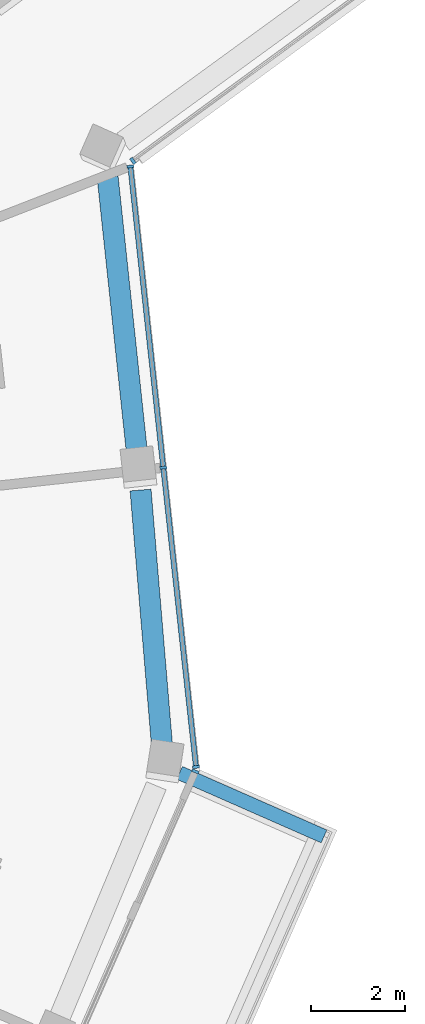
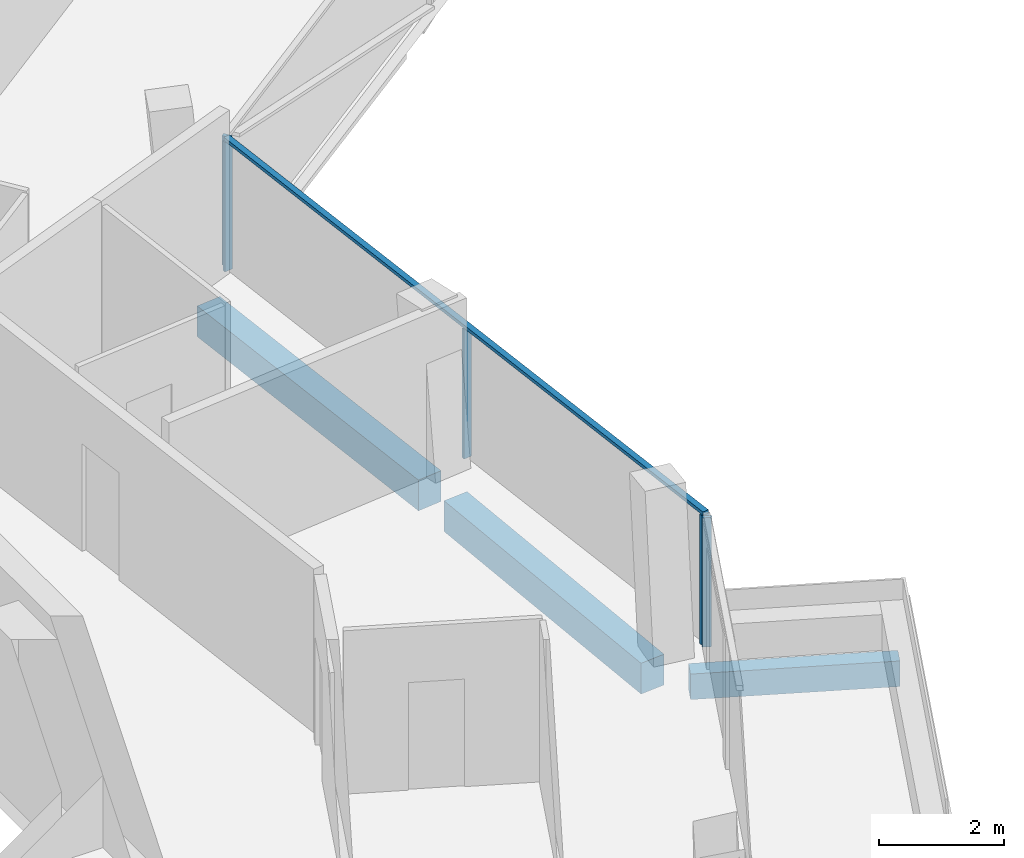
# One storey, part 7 of 24: 6 members, 3 beams, 3 elements without a shape of their own.
"""IFC4 building model written with IfcOpenShell, lengths in metres."""

from ifc_helpers import new_model, si_unit, direction, frame, origin, origin_2d, place, context, subcontext, project, spatial, rectangle, extrude, material, layer, layer_set, material_profile, profile_set, type_object, element, aggregate, save


model = new_model("IFC4")

# Units and contexts
model_context = context("Model", 3, precision=1e-05, world=origin(), true_north=direction((0.0, 1.0)))
body_context = subcontext(model_context, "Body", "Model", "MODEL_VIEW")
ifc_project = project(units=[si_unit("LENGTHUNIT", "METRE"), si_unit("AREAUNIT", "SQUARE_METRE"), si_unit("VOLUMEUNIT", "CUBIC_METRE"), si_unit("PLANEANGLEUNIT", "RADIAN"), si_unit("MASSUNIT", "GRAM", prefix="KILO")], contexts=[model_context])

# Site, building, storey
site_placement = place(None, origin())
site = spatial("IfcSite", under=ifc_project, at=site_placement, CompositionType="ELEMENT")
building_placement = place(site_placement, origin())
building = spatial("IfcBuilding", under=site, at=building_placement, Name="Verdalira Terraces Hotel", CompositionType="ELEMENT")
storey_placement = place(building_placement, frame((0.0, 0.0, 303.0)))
storey = spatial("IfcBuildingStorey", under=building, at=storey_placement, Name="L75", CompositionType="ELEMENT", Elevation=303.0)

# Beam
ifc_material_1 = material(Name="Concrete C40", Category="concrete")
ifc_material_profile_1 = material_profile(ifc_material_1, rectangle(XDim=0.300049, YDim=0.5, at=origin_2d()), Name="RC 300X500")
ifc_profile_set_1 = profile_set([ifc_material_profile_1], Name="Concrete C40")
beam_type_1 = type_object("IfcBeamType", Name="Balcony cantilever beam RC 300X500 C40", PredefinedType="BEAM", material=ifc_profile_set_1)
beam_1_placement = place(storey_placement, frame((24.388184, -3.88916, -0.560059), z_axis=(0.915245592, -0.402896397, 0.0), x_axis=(0.402896397, 0.915245592, 0.0)))
element("IfcBeam", 1, at=beam_1_placement, inside=storey, type_object=beam_type_1, Name="Balcony cantilever beam R25-5", PredefinedType="BEAM", context=body_context, shape_type="SweptSolid", body=[
    extrude(rectangle(XDim=0.300049, YDim=0.5, at=origin_2d()), origin(), (0.0, 0.0, 1.0), 3.370361),
])

# Curtain wall, member
ifc_material_2 = material(Name="Clear glass", Category="glass")
ifc_layer_1 = layer(ifc_material_2, 0.14990234375)
ifc_layer_set_1 = layer_set([ifc_layer_1], Name="CW1 curtain wall")
curtain_wall_type_1 = type_object("IfcCurtainWallType", Name="CW1 curtain wall", PredefinedType="NOTDEFINED", material=ifc_layer_set_1)
curtain_wall_1_placement = place(storey_placement, origin())
curtain_wall_1 = element("IfcCurtainWall", 2, at=curtain_wall_1_placement, inside=storey, type_object=curtain_wall_type_1, Name="CW1 curtain wall L75 edge 26", PredefinedType="NOTDEFINED")
ifc_material_3 = material(Name="Terracotta frame", Category="masonry")
ifc_material_profile_2 = material_profile(ifc_material_3, rectangle(XDim=0.060059, YDim=0.149902, at=origin_2d()), Name="MU 60x150")
ifc_profile_set_2 = profile_set([ifc_material_profile_2], Name="Terracotta frame")
member_type_1 = type_object("IfcMemberType", Name="CW1 mullion 60x150", PredefinedType="MULLION", material=ifc_profile_set_2)
member_1_placement = place(storey_placement, frame((24.724121, -3.858887, 0.0), z_axis=(0.0, 0.0, 1.0), x_axis=(0.402906436, 0.915241173, 0.0)))
member_1 = element("IfcMember", 3, at=member_1_placement, type_object=member_type_1, Name="CW1 mullion", PredefinedType="MULLION", context=body_context, shape_type="SweptSolid", body=[
    extrude(rectangle(XDim=0.060059, YDim=0.149902, at=origin_2d()), origin(), (0.0, 0.0, 1.0), 2.524902),
])
aggregate(curtain_wall_1, [member_1])

# Curtain wall, members
curtain_wall_2_placement = place(storey_placement, origin())
curtain_wall_2 = element("IfcCurtainWall", 4, at=curtain_wall_2_placement, inside=storey, type_object=curtain_wall_type_1, Name="CW1 curtain wall L75 edge 27", PredefinedType="NOTDEFINED")
member_2_placement = place(storey_placement, frame((24.739014, -3.763184, 0.0), z_axis=(0.0, 0.0, 1.0), x_axis=(-0.108693378, 0.994075324, 0.0)))
member_2 = element("IfcMember", 5, at=member_2_placement, type_object=member_type_1, Name="CW1 mullion", PredefinedType="MULLION", context=body_context, shape_type="SweptSolid", body=[
    extrude(rectangle(XDim=0.060059, YDim=0.149902, at=origin_2d()), origin(), (0.0, 0.0, 1.0), 2.524902),
])
member_3_placement = place(storey_placement, frame((24.040039, 2.628662, 0.0), z_axis=(0.0, 0.0, 1.0), x_axis=(-0.108693378, 0.994075324, 0.0)))
member_3 = element("IfcMember", 6, at=member_3_placement, type_object=member_type_1, Name="CW1 mullion", PredefinedType="MULLION", context=body_context, shape_type="SweptSolid", body=[
    extrude(rectangle(XDim=0.060059, YDim=0.149902, at=origin_2d()), origin(), (0.0, 0.0, 1.0), 2.524902),
])
member_4_placement = place(storey_placement, frame((23.336914, 9.060303, 0.0), z_axis=(0.0, 0.0, 1.0), x_axis=(-0.108693378, 0.994075324, 0.0)))
member_4 = element("IfcMember", 7, at=member_4_placement, type_object=member_type_1, Name="CW1 mullion", PredefinedType="MULLION", context=body_context, shape_type="SweptSolid", body=[
    extrude(rectangle(XDim=0.060059, YDim=0.149902, at=origin_2d()), origin(), (0.0, 0.0, 1.0), 2.524902),
])
ifc_material_4 = material(Name="Terracotta frame", Category="masonry")
ifc_material_profile_3 = material_profile(ifc_material_4, rectangle(XDim=0.110107, YDim=0.064941, at=origin_2d()), Name="TR 65x110")
ifc_profile_set_3 = profile_set([ifc_material_profile_3], Name="Terracotta frame")
member_type_2 = type_object("IfcMemberType", Name="CW1 transom 65x110", PredefinedType="USERDEFINED", material=ifc_profile_set_3)
member_5_placement = place(storey_placement, frame((24.742188, -3.792969, 2.557617), z_axis=(-0.108696632, 0.994074968, 0.0), x_axis=(-0.994074968, -0.108696632, 0.0)))
member_5 = element("IfcMember", 8, at=member_5_placement, type_object=member_type_2, Name="CW1 transom", ObjectType="TRANSOM", PredefinedType="USERDEFINED", context=body_context, shape_type="SweptSolid", body=[
    extrude(rectangle(XDim=0.110107, YDim=0.064941, at=origin_2d()), origin(), (0.0, 0.0, 1.0), 12.959961),
])
aggregate(curtain_wall_2, [member_2, member_3, member_4, member_5])

# Curtain wall, member
ifc_material_5 = material(Name="Clear glass", Category="glass")
ifc_layer_2 = layer(ifc_material_5, 0.14990234375)
ifc_layer_set_2 = layer_set([ifc_layer_2], Name="CW2 curtain wall")
curtain_wall_type_2 = type_object("IfcCurtainWallType", Name="CW2 curtain wall", PredefinedType="NOTDEFINED", material=ifc_layer_set_2)
curtain_wall_3_placement = place(storey_placement, origin())
curtain_wall_3 = element("IfcCurtainWall", 9, at=curtain_wall_3_placement, inside=storey, type_object=curtain_wall_type_2, Name="CW2 curtain wall L75 edge 28", PredefinedType="NOTDEFINED")
ifc_material_6 = material(Name="Terracotta frame", Category="masonry")
ifc_material_profile_4 = material_profile(ifc_material_6, rectangle(XDim=0.070068, YDim=0.149902, at=origin_2d()), Name="MU 70x150")
ifc_profile_set_4 = profile_set([ifc_material_profile_4], Name="Terracotta frame")
member_type_3 = type_object("IfcMemberType", Name="CW2 mullion 70x150", PredefinedType="MULLION", material=ifc_profile_set_4)
member_6_placement = place(storey_placement, frame((23.39209, 9.179443, 0.0), z_axis=(0.0, 0.0, 1.0), x_axis=(0.806547795, 0.591168888, 0.0)))
member_6 = element("IfcMember", 10, at=member_6_placement, type_object=member_type_3, Name="CW2 mullion", PredefinedType="MULLION", context=body_context, shape_type="SweptSolid", body=[
    extrude(rectangle(XDim=0.070068, YDim=0.149902, at=origin_2d()), origin(), (0.0, 0.0, 1.0), 2.524902),
])
aggregate(curtain_wall_3, [member_6])

# Beams
ifc_material_7 = material(Name="Concrete C40", Category="concrete")
ifc_material_profile_5 = material_profile(ifc_material_7, rectangle(XDim=0.449951, YDim=0.600098, at=origin_2d()), Name="RC 450X600")
ifc_profile_set_5 = profile_set([ifc_material_profile_5], Name="Concrete C40")
beam_type_2 = type_object("IfcBeamType", Name="Spandrel beam RC 450X600 C40", PredefinedType="SPANDREL", material=ifc_profile_set_5)
beam_2_placement = place(storey_placement, frame((24.016846, -3.353271, -0.610107), z_axis=(-0.083667287, 0.996493746, 0.0), x_axis=(-0.996493746, -0.083667287, 0.0)))
element("IfcBeam", 11, at=beam_2_placement, inside=storey, type_object=beam_type_2, Name="Spandrel beam B17", PredefinedType="SPANDREL", context=body_context, shape_type="SweptSolid", body=[
    extrude(rectangle(XDim=0.449951, YDim=0.600098, at=origin_2d()), origin(), (0.0, 0.0, 1.0), 5.523682),
])
beam_3_placement = place(storey_placement, frame((23.487549, 2.855713, -0.610107), z_axis=(-0.105794599, 0.994388004, 0.0), x_axis=(-0.994388004, -0.105794599, 0.0)))
element("IfcBeam", 12, at=beam_3_placement, inside=storey, type_object=beam_type_2, Name="Spandrel beam B18", PredefinedType="SPANDREL", context=body_context, shape_type="SweptSolid", body=[
    extrude(rectangle(XDim=0.449951, YDim=0.600098, at=origin_2d()), origin(), (0.0, 0.0, 1.0), 6.011475),
])

save(model, "model.ifc")
